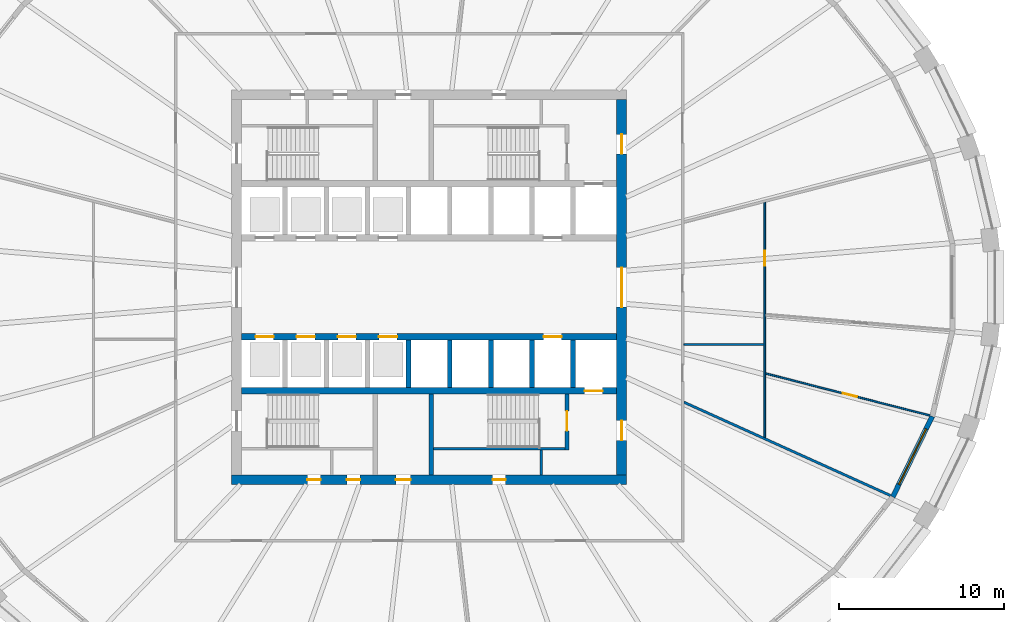
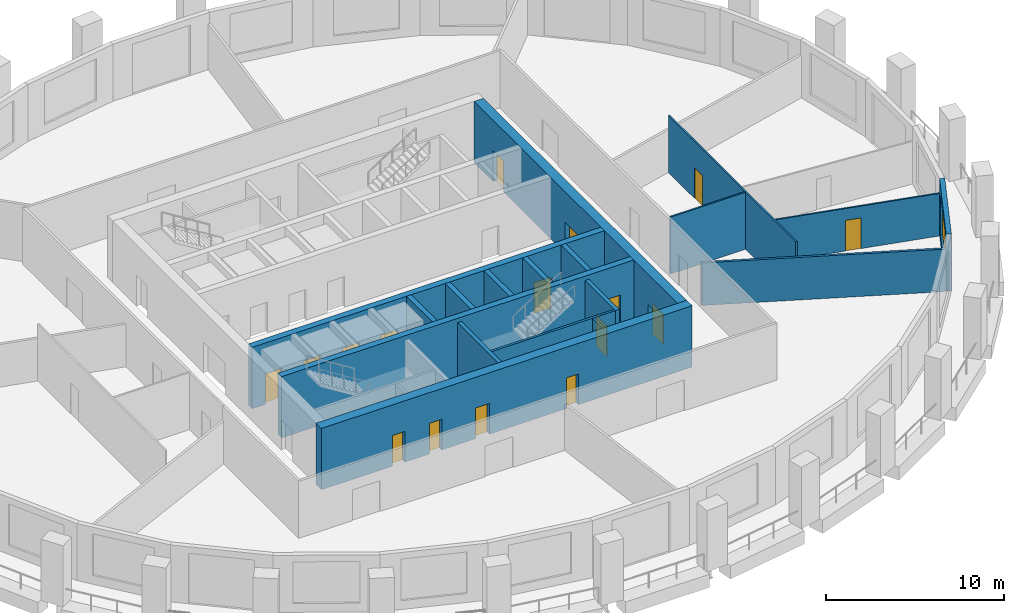
# One storey, part 4 of 10: 18 walls, 16 doors, 1 window, 17 openings.
"""IFC4 building model written with IfcOpenShell, lengths in metres."""

from ifc_helpers import new_model, si_unit, direction, frame, frame_2d, origin, place, context, subcontext, project, spatial, polyline, rectangle, outline, extrude, material, layer, layer_set, type_object, element, fill, save


model = new_model("IFC4")

# Units and contexts
model_context = context("Model", 3, precision=1e-05, world=origin(), true_north=direction((0.0, 1.0)))
body_context = subcontext(model_context, "Body", "Model", "MODEL_VIEW")
ifc_project = project(units=[si_unit("LENGTHUNIT", "METRE"), si_unit("AREAUNIT", "SQUARE_METRE"), si_unit("VOLUMEUNIT", "CUBIC_METRE"), si_unit("PLANEANGLEUNIT", "RADIAN"), si_unit("MASSUNIT", "GRAM", prefix="KILO")], contexts=[model_context])

# Site, building, storey
site_placement = place(None, origin())
site = spatial("IfcSite", under=ifc_project, at=site_placement, CompositionType="ELEMENT")
building_placement = place(site_placement, origin())
building = spatial("IfcBuilding", under=site, at=building_placement, Name="Halqa Exchange Tower", CompositionType="ELEMENT")
storey_placement = place(building_placement, frame((0.0, 0.0, 138.10009765625)))
storey = spatial("IfcBuildingStorey", under=building, at=storey_placement, Name="L31", CompositionType="ELEMENT", Elevation=138.10009765625)

# Walls
ifc_material_1 = material(Name="Fire-rated gypsum board")
ifc_layer_1 = layer(ifc_material_1, 0.14990234375)
ifc_layer_set_1 = layer_set([ifc_layer_1], Name="Fire-rated gypsum board")
wall_type_1 = type_object("IfcWallType", Name="Fire partition EI 60 150", PredefinedType="PARTITIONING", material=ifc_layer_set_1)
wall_1_placement = place(storey_placement, frame((15.444091796875, -6.969970703125, 0.0), z_axis=(0.0, 0.0, 1.0), x_axis=(0.911352660786, -0.411626441909, 0.0)))
element("IfcWall", 1, at=wall_1_placement, inside=storey, type_object=wall_type_1, Name="L31-PWL-014", PredefinedType="PARTITIONING", context=body_context, shape_type="SweptSolid", body=[
    extrude(outline(polyline([(0.06787109375, -0.074951171875), (2.03125, -0.074951171875), (3.994873046875, -0.074951171875), (5.958251953125, -0.074951171875), (7.921875, -0.074951171875), (9.885498046875, -0.074951171875), (11.848876953125, -0.074951171875), (13.8125, -0.074951171875), (13.83154296875, 0.0009765625), (13.833740234375, 0.073974609375), (13.833740234375, 0.074951171875), (12.137451171875, 0.074951171875), (10.44140625, 0.074951171875), (8.7451171875, 0.074951171875), (7.049072265625, 0.074951171875), (5.352783203125, 0.074951171875), (5.349853515625, 0.07373046875), (5.349365234375, 0.074951171875), (3.566162109375, 0.074951171875), (1.783203125, 0.074951171875), (0.0, 0.074951171875), (0.06787109375, -0.074951171875)])), origin(), (0.0, 0.0, 1.0), 2.909912109375),
])
ifc_material_2 = material(Name="Gypsum board")
ifc_layer_2 = layer(ifc_material_2, 0.10009765625)
ifc_layer_set_2 = layer_set([ifc_layer_2], Name="Gypsum board")
wall_type_2 = type_object("IfcWallType", Name="Partition 100 gypsum", PredefinedType="PARTITIONING", material=ifc_layer_set_2)
wall_2_placement = place(storey_placement, frame((15.47509765625, -3.47998046875, 0.0), z_axis=(0.0, 0.0, 1.0), x_axis=(1.0, 0.0, 0.0)))
element("IfcWall", 2, at=wall_2_placement, inside=storey, type_object=wall_type_2, Name="L31-PWL-015", PredefinedType="PARTITIONING", context=body_context, shape_type="SweptSolid", body=[
    extrude(rectangle(XDim=4.875, YDim=0.10009765625, at=frame_2d((2.4375, 0.0))), origin(), (0.0, 0.0, 1.0), 3.89990234375),
])

# Wall, opening, door
wall_3_placement = place(storey_placement, frame((20.39990234375, -9.1484375, 0.0), z_axis=(0.0, 0.0, 1.0), x_axis=(0.0, 1.0, 0.0)))
wall_3 = element("IfcWall", 3, at=wall_3_placement, inside=storey, type_object=wall_type_2, Name="L31-PWL-018", PredefinedType="PARTITIONING", context=body_context, shape_type="SweptSolid", body=[
    extrude(outline(polyline([(0.0, -0.050048828125), (1.927001953125, -0.050048828125), (3.85400390625, -0.050048828125), (3.8544921875, -0.04833984375), (3.861328125, -0.050048828125), (5.603271484375, -0.050048828125), (7.344970703125, -0.050048828125), (9.086669921875, -0.050048828125), (10.828369140625, -0.050048828125), (12.5703125, -0.050048828125), (14.31201171875, -0.050048828125), (14.31201171875, -0.048828125), (14.286865234375, 0.050048828125), (12.572998046875, 0.050048828125), (10.859375, 0.050048828125), (9.145751953125, 0.050048828125), (7.43212890625, 0.050048828125), (5.718505859375, 0.050048828125), (5.718505859375, 0.0498046875), (5.618408203125, 0.0498046875), (5.618408203125, 0.050048828125), (3.7607421875, 0.050048828125), (1.90283203125, 0.050048828125), (0.044921875, 0.050048828125), (0.0, -0.049560546875), (0.0, -0.050048828125)])), origin(), (0.0, 0.0, 1.0), 3.89990234375),
])
opening_1_placement = place(wall_3_placement, frame((10.46337890625, 0.0, 0.0)))
opening_1 = element("IfcOpeningElement", 4, at=opening_1_placement, cuts=wall_3, Name="Opening 09-13", PredefinedType="OPENING", context=body_context, shape_type="SweptSolid", body=[
    extrude(rectangle(XDim=0.89990234375, YDim=2.10009765625, at=frame_2d((0.449951171875, 1.050048828125))), frame((0.0, 0.06201171875, 0.0), z_axis=(0.0, -1.0, 0.0), x_axis=(1.0, 0.0, 0.0)), (0.0, 0.0, 1.0), 0.1240234375),
])
ifc_material_3 = material(Name="Timber door leaf", Category="wood")
door_type_1 = type_object("IfcDoorType", Name="Door 900 x 2100", OperationType="SINGLE_SWING_LEFT", PredefinedType="DOOR", material=ifc_material_3)
door_1_placement = place(opening_1_placement, origin())
door_1 = element("IfcDoor", 5, at=door_1_placement, inside=storey, type_object=door_type_1, Name="L31-IDR-013", OperationType="SINGLE_SWING_LEFT", OverallHeight=2.10009765625, OverallWidth=0.89990234375, PredefinedType="DOOR", context=body_context, shape_type="SweptSolid", body=[
    extrude(rectangle(XDim=0.89990234375, YDim=2.10009765625, at=frame_2d((0.449951171875, 1.050048828125))), frame((0.0, 0.02490234375, 0.0), z_axis=(0.0, -1.0, 0.0), x_axis=(1.0, 0.0, 0.0)), (0.0, 0.0, 1.0), 0.050048828125),
])
fill(opening_1, door_1)

wall_4_placement = place(storey_placement, frame((20.437744140625, -5.23974609375, 0.0), z_axis=(0.0, 0.0, 1.0), x_axis=(0.968862785912, -0.247598267511, 0.0)))
wall_4 = element("IfcWall", 6, at=wall_4_placement, inside=storey, type_object=wall_type_2, Name="L31-PWL-019", PredefinedType="PARTITIONING", context=body_context, shape_type="SweptSolid", body=[
    extrude(outline(polyline([(0.025390625, -0.050048828125), (1.739501953125, -0.050048828125), (3.45361328125, -0.050048828125), (5.167724609375, -0.050048828125), (6.8818359375, -0.050048828125), (8.595947265625, -0.050048828125), (10.31005859375, -0.050048828125), (10.31884765625, -0.00830078125), (10.31884765625, 0.050048828125), (8.59912109375, 0.050048828125), (6.879150390625, 0.050048828125), (5.159423828125, 0.050048828125), (3.439697265625, 0.050048828125), (1.7197265625, 0.050048828125), (0.0, 0.050048828125), (0.0, 0.049560546875), (0.025390625, -0.050048828125)])), origin(), (0.0, 0.0, 1.0), 2.909912109375),
])
opening_2_placement = place(wall_4_placement, frame((4.842041015625, 0.0, 0.0)))
opening_2 = element("IfcOpeningElement", 7, at=opening_2_placement, cuts=wall_4, Name="Opening 09-15", PredefinedType="OPENING", context=body_context, shape_type="SweptSolid", body=[
    extrude(rectangle(XDim=0.89990234375, YDim=2.10009765625, at=frame_2d((0.449951171875, 1.050048828125))), frame((0.0, 0.06201171875, 0.0), z_axis=(0.0, -1.0, 0.0), x_axis=(1.0, 0.0, 0.0)), (0.0, 0.0, 1.0), 0.1240234375),
])
door_2_placement = place(opening_2_placement, frame((0.89990234375, 0.0, 0.0), z_axis=(0.0, 0.0, 1.0), x_axis=(-1.0, 0.0, 0.0)))
door_2 = element("IfcDoor", 8, at=door_2_placement, inside=storey, type_object=door_type_1, Name="L31-IDR-015", OperationType="SINGLE_SWING_LEFT", OverallHeight=2.10009765625, OverallWidth=0.89990234375, PredefinedType="DOOR", context=body_context, shape_type="SweptSolid", body=[
    extrude(rectangle(XDim=0.89990234375, YDim=2.10009765625, at=frame_2d((0.449951171875, 1.050048828125))), frame((0.0, 0.02490234375, 0.0), z_axis=(0.0, -1.0, 0.0), x_axis=(1.0, 0.0, 0.0)), (0.0, 0.0, 1.0), 0.050048828125),
])
fill(opening_2, door_2)

# Walls
ifc_layer_3 = layer(ifc_material_2, 0.14990234375)
ifc_layer_set_3 = layer_set([ifc_layer_3], Name="Gypsum board")
wall_type_3 = type_object("IfcWallType", Name="Penthouse riser wall 150 gypsum", PredefinedType="PARTITIONING", material=ifc_layer_set_3)
wall_5_placement = place(storey_placement, frame((6.824951171875, -11.39990234375, 0.0), z_axis=(0.0, 0.0, 1.0), x_axis=(0.0, 1.0, 0.0)))
element("IfcWall", 9, at=wall_5_placement, inside=storey, type_object=wall_type_3, Name="Firefighting lobby west wall S", PredefinedType="PARTITIONING", context=body_context, shape_type="SweptSolid", body=[
    extrude(rectangle(XDim=1.5, YDim=0.14990234375, at=frame_2d((0.75, 0.0))), origin(), (0.0, 0.0, 1.0), 3.89990234375),
])
ifc_material_4 = material(Name="Concrete C60/75", Category="concrete")
ifc_layer_4 = layer(ifc_material_4, 0.300048828125)
ifc_layer_set_4 = layer_set([ifc_layer_4], Name="Concrete C60/75")
wall_type_4 = type_object("IfcWallType", Name="RC core wall 300", PredefinedType="SHEAR", material=ifc_layer_set_4)
for number, where, z_axis, x_axis, name in (
    (10, (-1.25, -6.10009765625, 0.0), (0.0, 0.0, 1.0), (0.0, 1.0, 0.0), "Shaft divider S4"),
    (11, (1.25, -6.10009765625, 0.0), (0.0, 0.0, 1.0), (0.0, 1.0, 0.0), "Shaft divider S5"),
    (12, (3.75, -6.10009765625, 0.0), (0.0, 0.0, 1.0), (0.0, 1.0, 0.0), "Shaft divider S6"),
    (13, (6.25, -6.10009765625, 0.0), (0.0, 0.0, 1.0), (0.0, 1.0, 0.0), "Shaft divider S7"),
    (14, (8.75, -6.10009765625, 0.0), (0.0, 0.0, 1.0), (0.0, 1.0, 0.0), "Shaft divider S8"),
):
    element("IfcWall", number, at=place(storey_placement, frame(where, z_axis=z_axis, x_axis=x_axis)), inside=storey, type_object=wall_type_4, Name=name, PredefinedType="SHEAR", context=body_context, shape_type="SweptSolid", body=[
        extrude(rectangle(XDim=2.900146484375, YDim=0.300048828125, at=frame_2d((1.4501953125, 0.0))), origin(), (0.0, 0.0, 1.0), 4.199951171875),
    ])

# Wall, openings, doors
ifc_material_5 = material(Name="Concrete C70/85", Category="concrete")
ifc_layer_5 = layer(ifc_material_5, 0.39990234375)
ifc_layer_set_5 = layer_set([ifc_layer_5], Name="Concrete C70/85")
wall_type_5 = type_object("IfcWallType", Name="RC core wall 400 C70/85", PredefinedType="SHEAR", material=ifc_layer_set_5)
wall_6_placement = place(storey_placement, frame((-11.39990234375, -3.0, 0.0), z_axis=(0.0, 0.0, 1.0), x_axis=(1.0, 0.0, 0.0)))
wall_6 = element("IfcWall", 15, at=wall_6_placement, inside=storey, type_object=wall_type_5, Name="Lift row front wall S", PredefinedType="SHEAR", context=body_context, shape_type="SweptSolid", body=[
    extrude(rectangle(XDim=22.7998046875, YDim=0.39990234375, at=frame_2d((11.39990234375, 0.0))), origin(), (0.0, 0.0, 1.0), 4.199951171875),
])
opening_3_placement = place(wall_6_placement, frame((0.85009765625, 0.0, 0.0)))
opening_3 = element("IfcOpeningElement", 16, at=opening_3_placement, cuts=wall_6, Name="Opening LD-LR5-T09", PredefinedType="OPENING", context=body_context, shape_type="SweptSolid", body=[
    extrude(rectangle(XDim=1.10009765625, YDim=2.10009765625, at=frame_2d((0.550048828125, 1.050048828125))), frame((0.0, 0.2119140625, 0.0), z_axis=(0.0, -1.0, 0.0), x_axis=(1.0, 0.0, 0.0)), (0.0, 0.0, 1.0), 0.423828125),
])
opening_4_placement = place(wall_6_placement, frame((3.35009765625, 0.0, 0.0)))
opening_4 = element("IfcOpeningElement", 17, at=opening_4_placement, cuts=wall_6, Name="Opening LD-LR6-T09", PredefinedType="OPENING", context=body_context, shape_type="SweptSolid", body=[
    extrude(rectangle(XDim=1.10009765625, YDim=2.10009765625, at=frame_2d((0.550048828125, 1.050048828125))), frame((0.0, 0.2119140625, 0.0), z_axis=(0.0, -1.0, 0.0), x_axis=(1.0, 0.0, 0.0)), (0.0, 0.0, 1.0), 0.423828125),
])
opening_5_placement = place(wall_6_placement, frame((5.85009765625, 0.0, 0.0)))
opening_5 = element("IfcOpeningElement", 18, at=opening_5_placement, cuts=wall_6, Name="Opening LD-LR7-T09", PredefinedType="OPENING", context=body_context, shape_type="SweptSolid", body=[
    extrude(rectangle(XDim=1.10009765625, YDim=2.10009765625, at=frame_2d((0.550048828125, 1.050048828125))), frame((0.0, 0.2119140625, 0.0), z_axis=(0.0, -1.0, 0.0), x_axis=(1.0, 0.0, 0.0)), (0.0, 0.0, 1.0), 0.423828125),
])
opening_6_placement = place(wall_6_placement, frame((8.35009765625, 0.0, 0.0)))
opening_6 = element("IfcOpeningElement", 19, at=opening_6_placement, cuts=wall_6, Name="Opening LD-LR8-T09", PredefinedType="OPENING", context=body_context, shape_type="SweptSolid", body=[
    extrude(rectangle(XDim=1.10009765625, YDim=2.10009765625, at=frame_2d((0.550048828125, 1.050048828125))), frame((0.0, 0.2119140625, 0.0), z_axis=(0.0, -1.0, 0.0), x_axis=(1.0, 0.0, 0.0)), (0.0, 0.0, 1.0), 0.423828125),
])
opening_7_placement = place(wall_6_placement, frame((18.35009765625, 0.0, 0.0)))
opening_7 = element("IfcOpeningElement", 20, at=opening_7_placement, cuts=wall_6, Name="Opening LD-SV2-T09", PredefinedType="OPENING", context=body_context, shape_type="SweptSolid", body=[
    extrude(rectangle(XDim=1.10009765625, YDim=2.10009765625, at=frame_2d((0.550048828125, 1.050048828125))), frame((0.0, 0.2119140625, 0.0), z_axis=(0.0, -1.0, 0.0), x_axis=(1.0, 0.0, 0.0)), (0.0, 0.0, 1.0), 0.423828125),
])
ifc_material_6 = material(Name="Stainless steel", Category="steel")
door_type_2 = type_object("IfcDoorType", Name="Lift landing door 1100 x 2100", OperationType="SLIDING_TO_LEFT", PredefinedType="DOOR", material=ifc_material_6)
door_3_placement = place(opening_3_placement, origin())
door_3 = element("IfcDoor", 21, at=door_3_placement, inside=storey, type_object=door_type_2, Name="Lift landing door LR5", OperationType="SLIDING_TO_LEFT", OverallHeight=2.10009765625, OverallWidth=1.10009765625, PredefinedType="DOOR", context=body_context, shape_type="SweptSolid", body=[
    extrude(rectangle(XDim=1.10009765625, YDim=2.10009765625, at=frame_2d((0.550048828125, 1.050048828125))), frame((0.0, 0.02490234375, 0.0), z_axis=(0.0, -1.0, 0.0), x_axis=(1.0, 0.0, 0.0)), (0.0, 0.0, 1.0), 0.050048828125),
])
fill(opening_3, door_3)
door_4_placement = place(opening_4_placement, origin())
door_4 = element("IfcDoor", 22, at=door_4_placement, inside=storey, type_object=door_type_2, Name="Lift landing door LR6", OperationType="SLIDING_TO_LEFT", OverallHeight=2.10009765625, OverallWidth=1.10009765625, PredefinedType="DOOR", context=body_context, shape_type="SweptSolid", body=[
    extrude(rectangle(XDim=1.10009765625, YDim=2.10009765625, at=frame_2d((0.550048828125, 1.050048828125))), frame((0.0, 0.02490234375, 0.0), z_axis=(0.0, -1.0, 0.0), x_axis=(1.0, 0.0, 0.0)), (0.0, 0.0, 1.0), 0.050048828125),
])
fill(opening_4, door_4)
door_5_placement = place(opening_5_placement, origin())
door_5 = element("IfcDoor", 23, at=door_5_placement, inside=storey, type_object=door_type_2, Name="Lift landing door LR7", OperationType="SLIDING_TO_LEFT", OverallHeight=2.10009765625, OverallWidth=1.10009765625, PredefinedType="DOOR", context=body_context, shape_type="SweptSolid", body=[
    extrude(rectangle(XDim=1.10009765625, YDim=2.10009765625, at=frame_2d((0.550048828125, 1.050048828125))), frame((0.0, 0.02490234375, 0.0), z_axis=(0.0, -1.0, 0.0), x_axis=(1.0, 0.0, 0.0)), (0.0, 0.0, 1.0), 0.050048828125),
])
fill(opening_5, door_5)
door_6_placement = place(opening_6_placement, origin())
door_6 = element("IfcDoor", 24, at=door_6_placement, inside=storey, type_object=door_type_2, Name="Lift landing door LR8", OperationType="SLIDING_TO_LEFT", OverallHeight=2.10009765625, OverallWidth=1.10009765625, PredefinedType="DOOR", context=body_context, shape_type="SweptSolid", body=[
    extrude(rectangle(XDim=1.10009765625, YDim=2.10009765625, at=frame_2d((0.550048828125, 1.050048828125))), frame((0.0, 0.02490234375, 0.0), z_axis=(0.0, -1.0, 0.0), x_axis=(1.0, 0.0, 0.0)), (0.0, 0.0, 1.0), 0.050048828125),
])
fill(opening_6, door_6)
door_7_placement = place(opening_7_placement, origin())
door_7 = element("IfcDoor", 25, at=door_7_placement, inside=storey, type_object=door_type_2, Name="Lift landing door SV2", OperationType="SLIDING_TO_LEFT", OverallHeight=2.10009765625, OverallWidth=1.10009765625, PredefinedType="DOOR", context=body_context, shape_type="SweptSolid", body=[
    extrude(rectangle(XDim=1.10009765625, YDim=2.10009765625, at=frame_2d((0.550048828125, 1.050048828125))), frame((0.0, 0.02490234375, 0.0), z_axis=(0.0, -1.0, 0.0), x_axis=(1.0, 0.0, 0.0)), (0.0, 0.0, 1.0), 0.050048828125),
])
fill(opening_7, door_7)

# Wall, opening, door
wall_7_placement = place(storey_placement, frame((-11.39990234375, -6.300048828125, 0.0), z_axis=(0.0, 0.0, 1.0), x_axis=(1.0, 0.0, 0.0)))
wall_7 = element("IfcWall", 26, at=wall_7_placement, inside=storey, type_object=wall_type_5, Name="Lift row back wall S", PredefinedType="SHEAR", context=body_context, shape_type="SweptSolid", body=[
    extrude(rectangle(XDim=22.7998046875, YDim=0.39990234375, at=frame_2d((11.39990234375, 0.0))), origin(), (0.0, 0.0, 1.0), 4.199951171875),
])
opening_8_placement = place(wall_7_placement, frame((20.85009765625, 0.0, 0.0)))
opening_8 = element("IfcOpeningElement", 27, at=opening_8_placement, cuts=wall_7, Name="Opening LD-FF2-T09", PredefinedType="OPENING", context=body_context, shape_type="SweptSolid", body=[
    extrude(rectangle(XDim=1.10009765625, YDim=2.10009765625, at=frame_2d((0.550048828125, 1.050048828125))), frame((0.0, 0.2119140625, 0.0), z_axis=(0.0, -1.0, 0.0), x_axis=(1.0, 0.0, 0.0)), (0.0, 0.0, 1.0), 0.423828125),
])
door_8_placement = place(opening_8_placement, origin())
door_8 = element("IfcDoor", 28, at=door_8_placement, inside=storey, type_object=door_type_2, Name="Lift landing door FF2", OperationType="SLIDING_TO_LEFT", OverallHeight=2.10009765625, OverallWidth=1.10009765625, PredefinedType="DOOR", context=body_context, shape_type="SweptSolid", body=[
    extrude(rectangle(XDim=1.10009765625, YDim=2.10009765625, at=frame_2d((0.550048828125, 1.050048828125))), frame((0.0, 0.02490234375, 0.0), z_axis=(0.0, -1.0, 0.0), x_axis=(1.0, 0.0, 0.0)), (0.0, 0.0, 1.0), 0.050048828125),
])
fill(opening_8, door_8)

# Wall, openings, doors
ifc_layer_6 = layer(ifc_material_5, 0.60009765625)
ifc_layer_set_6 = layer_set([ifc_layer_6], Name="Concrete C70/85")
wall_type_6 = type_object("IfcWallType", Name="RC core wall 600 C70/85", PredefinedType="SHEAR", material=ifc_layer_set_6)
wall_8_placement = place(storey_placement, frame((-12.0, -11.699951171875, 0.0), z_axis=(0.0, 0.0, 1.0), x_axis=(1.0, 0.0, 0.0)))
wall_8 = element("IfcWall", 29, at=wall_8_placement, inside=storey, type_object=wall_type_6, Name="Core wall south", PredefinedType="SHEAR", context=body_context, shape_type="SweptSolid", body=[
    extrude(rectangle(XDim=24.0, YDim=0.60009765625, at=frame_2d((12.0, 0.0))), origin(), (0.0, 0.0, 1.0), 4.199951171875),
])
opening_9_placement = place(wall_8_placement, frame((9.97509765625, 0.0, 0.0)))
opening_9 = element("IfcOpeningElement", 30, at=opening_9_placement, cuts=wall_8, Name="Opening T09-C25", PredefinedType="OPENING", context=body_context, shape_type="SweptSolid", body=[
    extrude(rectangle(XDim=0.89990234375, YDim=2.10009765625, at=frame_2d((0.449951171875, 1.050048828125))), frame((0.0, 0.31201171875, 0.0), z_axis=(0.0, -1.0, 0.0), x_axis=(1.0, 0.0, 0.0)), (0.0, 0.0, 1.0), 0.6240234375),
])
opening_10_placement = place(wall_8_placement, frame((4.60009765625, 0.0, 0.0)))
opening_10 = element("IfcOpeningElement", 31, at=opening_10_placement, cuts=wall_8, Name="Opening T09-C26", PredefinedType="OPENING", context=body_context, shape_type="SweptSolid", body=[
    extrude(rectangle(XDim=0.800048828125, YDim=2.10009765625, at=frame_2d((0.39990234375, 1.050048828125))), frame((0.0, 0.31201171875, 0.0), z_axis=(0.0, -1.0, 0.0), x_axis=(1.0, 0.0, 0.0)), (0.0, 0.0, 1.0), 0.6240234375),
])
opening_11_placement = place(wall_8_placement, frame((7.0, 0.0, 0.0)))
opening_11 = element("IfcOpeningElement", 32, at=opening_11_placement, cuts=wall_8, Name="Opening T09-C27", PredefinedType="OPENING", context=body_context, shape_type="SweptSolid", body=[
    extrude(rectangle(XDim=0.800048828125, YDim=2.10009765625, at=frame_2d((0.39990234375, 1.050048828125))), frame((0.0, 0.31201171875, 0.0), z_axis=(0.0, -1.0, 0.0), x_axis=(1.0, 0.0, 0.0)), (0.0, 0.0, 1.0), 0.6240234375),
])
opening_12_placement = place(wall_8_placement, frame((15.85009765625, 0.0, 0.0)))
opening_12 = element("IfcOpeningElement", 33, at=opening_12_placement, cuts=wall_8, Name="Opening T09-C28", PredefinedType="OPENING", context=body_context, shape_type="SweptSolid", body=[
    extrude(rectangle(XDim=0.800048828125, YDim=2.10009765625, at=frame_2d((0.39990234375, 1.050048828125))), frame((0.0, 0.31201171875, 0.0), z_axis=(0.0, -1.0, 0.0), x_axis=(1.0, 0.0, 0.0)), (0.0, 0.0, 1.0), 0.6240234375),
])
ifc_material_7 = material(Name="Timber fire door leaf", Category="wood")
door_type_3 = type_object("IfcDoorType", Name="Core room door FD30 900 x 2100", OperationType="SINGLE_SWING_LEFT", PredefinedType="DOOR", material=ifc_material_7)
door_9_placement = place(opening_9_placement, origin())
door_9 = element("IfcDoor", 34, at=door_9_placement, inside=storey, type_object=door_type_3, Name="Core room door", OperationType="SINGLE_SWING_RIGHT", OverallHeight=2.10009765625, OverallWidth=0.89990234375, PredefinedType="DOOR", context=body_context, shape_type="SweptSolid", body=[
    extrude(rectangle(XDim=0.89990234375, YDim=2.10009765625, at=frame_2d((0.449951171875, 1.050048828125))), frame((0.0, 0.02490234375, 0.0), z_axis=(0.0, -1.0, 0.0), x_axis=(1.0, 0.0, 0.0)), (0.0, 0.0, 1.0), 0.050048828125),
])
fill(opening_9, door_9)
ifc_material_8 = material(Name="Steel fire door leaf", Category="steel")
door_type_4 = type_object("IfcDoorType", Name="Riser door FD60 800 x 2100", OperationType="SINGLE_SWING_LEFT", PredefinedType="DOOR", material=ifc_material_8)
door_10_placement = place(opening_10_placement, origin())
door_10 = element("IfcDoor", 35, at=door_10_placement, inside=storey, type_object=door_type_4, Name="Core room door", OperationType="SINGLE_SWING_LEFT", OverallHeight=2.10009765625, OverallWidth=0.800048828125, PredefinedType="DOOR", context=body_context, shape_type="SweptSolid", body=[
    extrude(rectangle(XDim=0.800048828125, YDim=2.10009765625, at=frame_2d((0.39990234375, 1.050048828125))), frame((0.0, 0.02490234375, 0.0), z_axis=(0.0, -1.0, 0.0), x_axis=(1.0, 0.0, 0.0)), (0.0, 0.0, 1.0), 0.050048828125),
])
fill(opening_10, door_10)
door_11_placement = place(opening_11_placement, origin())
door_11 = element("IfcDoor", 36, at=door_11_placement, inside=storey, type_object=door_type_4, Name="Core room door", OperationType="SINGLE_SWING_RIGHT", OverallHeight=2.10009765625, OverallWidth=0.800048828125, PredefinedType="DOOR", context=body_context, shape_type="SweptSolid", body=[
    extrude(rectangle(XDim=0.800048828125, YDim=2.10009765625, at=frame_2d((0.39990234375, 1.050048828125))), frame((0.0, 0.02490234375, 0.0), z_axis=(0.0, -1.0, 0.0), x_axis=(1.0, 0.0, 0.0)), (0.0, 0.0, 1.0), 0.050048828125),
])
fill(opening_11, door_11)
door_12_placement = place(opening_12_placement, origin())
door_12 = element("IfcDoor", 37, at=door_12_placement, inside=storey, type_object=door_type_4, Name="Core room door", OperationType="SINGLE_SWING_LEFT", OverallHeight=2.10009765625, OverallWidth=0.800048828125, PredefinedType="DOOR", context=body_context, shape_type="SweptSolid", body=[
    extrude(rectangle(XDim=0.800048828125, YDim=2.10009765625, at=frame_2d((0.39990234375, 1.050048828125))), frame((0.0, 0.02490234375, 0.0), z_axis=(0.0, -1.0, 0.0), x_axis=(1.0, 0.0, 0.0)), (0.0, 0.0, 1.0), 0.050048828125),
])
fill(opening_12, door_12)

wall_9_placement = place(storey_placement, frame((11.699951171875, -11.39990234375, 0.0), z_axis=(0.0, 0.0, 1.0), x_axis=(0.0, 1.0, 0.0)))
wall_9 = element("IfcWall", 38, at=wall_9_placement, inside=storey, type_object=wall_type_6, Name="Core wall east", PredefinedType="SHEAR", context=body_context, shape_type="SweptSolid", body=[
    extrude(rectangle(XDim=22.7998046875, YDim=0.60009765625, at=frame_2d((11.39990234375, 0.0))), origin(), (0.0, 0.0, 1.0), 4.199951171875),
])
opening_13_placement = place(wall_9_placement, frame((10.199951171875, 0.0, 0.0)))
opening_13 = element("IfcOpeningElement", 39, at=opening_13_placement, cuts=wall_9, Name="Opening T09-C14", PredefinedType="OPENING", context=body_context, shape_type="SweptSolid", body=[
    extrude(rectangle(XDim=2.39990234375, YDim=2.10009765625, at=frame_2d((1.199951171875, 1.050048828125))), frame((0.0, 0.31201171875, 0.0), z_axis=(0.0, -1.0, 0.0), x_axis=(1.0, 0.0, 0.0)), (0.0, 0.0, 1.0), 0.6240234375),
])
opening_14_placement = place(wall_9_placement, frame((19.5, 0.0, 0.0)))
opening_14 = element("IfcOpeningElement", 40, at=opening_14_placement, cuts=wall_9, Name="Opening T09-C19", PredefinedType="OPENING", context=body_context, shape_type="SweptSolid", body=[
    extrude(rectangle(XDim=1.199951171875, YDim=2.10009765625, at=frame_2d((0.60009765625, 1.050048828125))), frame((0.0, 0.31201171875, 0.0), z_axis=(0.0, -1.0, 0.0), x_axis=(1.0, 0.0, 0.0)), (0.0, 0.0, 1.0), 0.6240234375),
])
opening_15_placement = place(wall_9_placement, frame((2.10009765625, 0.0, 0.0)))
opening_15 = element("IfcOpeningElement", 41, at=opening_15_placement, cuts=wall_9, Name="Opening T09-C20", PredefinedType="OPENING", context=body_context, shape_type="SweptSolid", body=[
    extrude(rectangle(XDim=1.199951171875, YDim=2.10009765625, at=frame_2d((0.60009765625, 1.050048828125))), frame((0.0, 0.31201171875, 0.0), z_axis=(0.0, -1.0, 0.0), x_axis=(1.0, 0.0, 0.0)), (0.0, 0.0, 1.0), 0.6240234375),
])
door_type_5 = type_object("IfcDoorType", Name="Firefighting lobby door FD90 1200 x 2100", OperationType="SINGLE_SWING_RIGHT", PredefinedType="DOOR", material=ifc_material_8)
door_13_placement = place(opening_14_placement, origin())
door_13 = element("IfcDoor", 42, at=door_13_placement, inside=storey, type_object=door_type_5, Name="Firefighting lobby door", OperationType="SINGLE_SWING_RIGHT", OverallHeight=2.10009765625, OverallWidth=1.199951171875, PredefinedType="DOOR", context=body_context, shape_type="SweptSolid", body=[
    extrude(rectangle(XDim=1.199951171875, YDim=2.10009765625, at=frame_2d((0.60009765625, 1.050048828125))), frame((0.0, 0.02490234375, 0.0), z_axis=(0.0, -1.0, 0.0), x_axis=(1.0, 0.0, 0.0)), (0.0, 0.0, 1.0), 0.050048828125),
])
fill(opening_14, door_13)
door_14_placement = place(opening_15_placement, origin())
door_14 = element("IfcDoor", 43, at=door_14_placement, inside=storey, type_object=door_type_5, Name="Firefighting lobby door", OperationType="SINGLE_SWING_LEFT", OverallHeight=2.10009765625, OverallWidth=1.199951171875, PredefinedType="DOOR", context=body_context, shape_type="SweptSolid", body=[
    extrude(rectangle(XDim=1.199951171875, YDim=2.10009765625, at=frame_2d((0.60009765625, 1.050048828125))), frame((0.0, 0.02490234375, 0.0), z_axis=(0.0, -1.0, 0.0), x_axis=(1.0, 0.0, 0.0)), (0.0, 0.0, 1.0), 0.050048828125),
])
fill(opening_15, door_14)
door_type_6 = type_object("IfcDoorType", Name="Lobby double door FD60 2400 x 2100", OperationType="DOUBLE_DOOR_SINGLE_SWING", PredefinedType="DOOR", material=ifc_material_8)
door_15_placement = place(opening_13_placement, origin())
door_15 = element("IfcDoor", 44, at=door_15_placement, inside=storey, type_object=door_type_6, Name="Lift lobby double door", OperationType="DOUBLE_DOOR_SINGLE_SWING", OverallHeight=2.10009765625, OverallWidth=2.39990234375, PredefinedType="DOOR", context=body_context, shape_type="SweptSolid", body=[
    extrude(rectangle(XDim=2.39990234375, YDim=2.10009765625, at=frame_2d((1.199951171875, 1.050048828125))), frame((0.0, 0.02490234375, 0.0), z_axis=(0.0, -1.0, 0.0), x_axis=(1.0, 0.0, 0.0)), (0.0, 0.0, 1.0), 0.050048828125),
])
fill(opening_13, door_15)

# Walls
ifc_material_9 = material(Name="Concrete C30/37", Category="concrete")
ifc_layer_7 = layer(ifc_material_9, 0.14990234375)
ifc_layer_set_7 = layer_set([ifc_layer_7], Name="Concrete C30/37")
wall_type_7 = type_object("IfcWallType", Name="RC stair wall 150 C30/37", PredefinedType="SHEAR", material=ifc_layer_set_7)
wall_10_placement = place(storey_placement, frame((0.25, -9.824951171875, 0.0), z_axis=(0.0, 0.0, 1.0), x_axis=(1.0, 0.0, 0.0)))
element("IfcWall", 45, at=wall_10_placement, inside=storey, type_object=wall_type_7, Name="Stair ST2 north wall S", PredefinedType="SHEAR", context=body_context, shape_type="SweptSolid", body=[
    extrude(rectangle(XDim=8.0, YDim=0.14990234375, at=frame_2d((4.0, 0.0))), origin(), (0.0, 0.0, 1.0), 3.89990234375),
])
ifc_layer_8 = layer(ifc_material_9, 0.25)
ifc_layer_set_8 = layer_set([ifc_layer_8], Name="Concrete C30/37")
wall_type_8 = type_object("IfcWallType", Name="RC stair wall 250 C30/37", PredefinedType="SHEAR", material=ifc_layer_set_8)
wall_11_placement = place(storey_placement, frame((0.125, -11.39990234375, 0.0), z_axis=(0.0, 0.0, 1.0), x_axis=(0.0, 1.0, 0.0)))
element("IfcWall", 46, at=wall_11_placement, inside=storey, type_object=wall_type_8, Name="Stair ST2 west wall S", PredefinedType="SHEAR", context=body_context, shape_type="SweptSolid", body=[
    extrude(rectangle(XDim=4.89990234375, YDim=0.25, at=frame_2d((2.449951171875, 0.0))), origin(), (0.0, 0.0, 1.0), 3.89990234375),
])

# Wall, opening, door
wall_12_placement = place(storey_placement, frame((8.375, -9.89990234375, 0.0), z_axis=(0.0, 0.0, 1.0), x_axis=(0.0, 1.0, 0.0)))
wall_12 = element("IfcWall", 47, at=wall_12_placement, inside=storey, type_object=wall_type_8, Name="Stair ST2 east wall S", PredefinedType="SHEAR", context=body_context, shape_type="SweptSolid", body=[
    extrude(rectangle(XDim=3.39990234375, YDim=0.25, at=frame_2d((1.699951171875, 0.0))), origin(), (0.0, 0.0, 1.0), 3.89990234375),
])
opening_16_placement = place(wall_12_placement, frame((1.175048828125, 0.0, 0.0)))
opening_16 = element("IfcOpeningElement", 48, at=opening_16_placement, cuts=wall_12, Name="Opening T09-C18", PredefinedType="OPENING", context=body_context, shape_type="SweptSolid", body=[
    extrude(rectangle(XDim=1.199951171875, YDim=2.10009765625, at=frame_2d((0.60009765625, 1.050048828125))), frame((0.0, 0.136962890625, 0.0), z_axis=(0.0, -1.0, 0.0), x_axis=(1.0, 0.0, 0.0)), (0.0, 0.0, 1.0), 0.27392578125),
])
door_type_7 = type_object("IfcDoorType", Name="Stair door FD90 1200 x 2100", OperationType="SINGLE_SWING_LEFT", PredefinedType="DOOR", material=ifc_material_8)
door_16_placement = place(opening_16_placement, origin())
door_16 = element("IfcDoor", 49, at=door_16_placement, inside=storey, type_object=door_type_7, Name="Stair door ST4", OperationType="SINGLE_SWING_RIGHT", OverallHeight=2.10009765625, OverallWidth=1.199951171875, PredefinedType="DOOR", context=body_context, shape_type="SweptSolid", body=[
    extrude(rectangle(XDim=1.199951171875, YDim=2.10009765625, at=frame_2d((0.60009765625, 1.050048828125))), frame((0.0, 0.02490234375, 0.0), z_axis=(0.0, -1.0, 0.0), x_axis=(1.0, 0.0, 0.0)), (0.0, 0.0, 1.0), 0.050048828125),
])
fill(opening_16, door_16)

# Wall, opening, window
ifc_material_10 = material(Name="Limestone cladding", Category="masonry")
ifc_layer_9 = layer(ifc_material_10, 0.0400390625)
ifc_material_11 = material(Name="Ventilated cavity")
ifc_layer_10 = layer(ifc_material_11, 0.030029296875, ventilated=True)
ifc_material_12 = material(Name="Mineral wool insulation")
ifc_layer_11 = layer(ifc_material_12, 0.10009765625)
ifc_layer_12 = layer(ifc_material_9, 0.10009765625)
ifc_material_13 = material(Name="Internal plaster")
ifc_layer_13 = layer(ifc_material_13, 0.030029296875)
ifc_layer_set_9 = layer_set([ifc_layer_9, ifc_layer_10, ifc_layer_11, ifc_layer_12, ifc_layer_13], Name="Stone-faced insulated wall 300")
wall_type_9 = type_object("IfcWallType", Name="Stone-faced insulated wall 300", PredefinedType="STANDARD", material=ifc_layer_set_9)
wall_13_placement = place(storey_placement, frame((28.177490234375, -12.742919921875, 0.0), z_axis=(0.0, 0.0, 1.0), x_axis=(0.440321465864, 0.897840189956, 0.0)))
wall_13 = element("IfcWall", 50, at=wall_13_placement, inside=storey, type_object=wall_type_9, Name="Glass-line wall 30", PredefinedType="STANDARD", context=body_context, shape_type="SweptSolid", body=[
    extrude(outline(polyline([(-0.01611328125, -0.14990234375), (5.46826171875, -0.14990234375), (5.4345703125, 0.14990234375), (0.01611328125, 0.14990234375), (-0.01611328125, -0.14990234375)])), origin(), (0.0, 0.0, 1.0), 3.89990234375),
])
opening_17_placement = place(wall_13_placement, frame((0.850830078125, 0.0, 0.60009765625)))
opening_17 = element("IfcOpeningElement", 51, at=opening_17_placement, cuts=wall_13, Name="Opening W-F2-30", PredefinedType="OPENING", context=body_context, shape_type="SweptSolid", body=[
    extrude(rectangle(XDim=3.75, YDim=2.85009765625, at=frame_2d((1.875, 1.425048828125))), frame((0.0, 0.162109375, 0.0), z_axis=(0.0, -1.0, 0.0), x_axis=(1.0, 0.0, 0.0)), (0.0, 0.0, 1.0), 0.323974609375),
])
ifc_material_14 = material(Name="Clear low-emissivity glass in aluminium frame", Category="aluminium")
window_type = type_object("IfcWindowType", Name="Fixed clear glazed window 3750 x 2850", PartitioningType="TRIPLE_PANEL_VERTICAL", PredefinedType="WINDOW", material=ifc_material_14)
window_placement = place(opening_17_placement, origin())
window = element("IfcWindow", 52, at=window_placement, inside=storey, type_object=window_type, Name="Window 2", OverallHeight=2.85009765625, OverallWidth=3.75, PartitioningType="TRIPLE_PANEL_VERTICAL", PredefinedType="WINDOW", context=body_context, shape_type="SweptSolid", body=[
    extrude(rectangle(XDim=3.75, YDim=2.85009765625, at=frame_2d((1.875, 1.425048828125))), frame((0.0, 0.030029296875, 0.0), z_axis=(0.0, -1.0, 0.0), x_axis=(1.0, 0.0, 0.0)), (0.0, 0.0, 1.0), 0.06005859375),
])
fill(opening_17, window)

save(model, "model.ifc")
